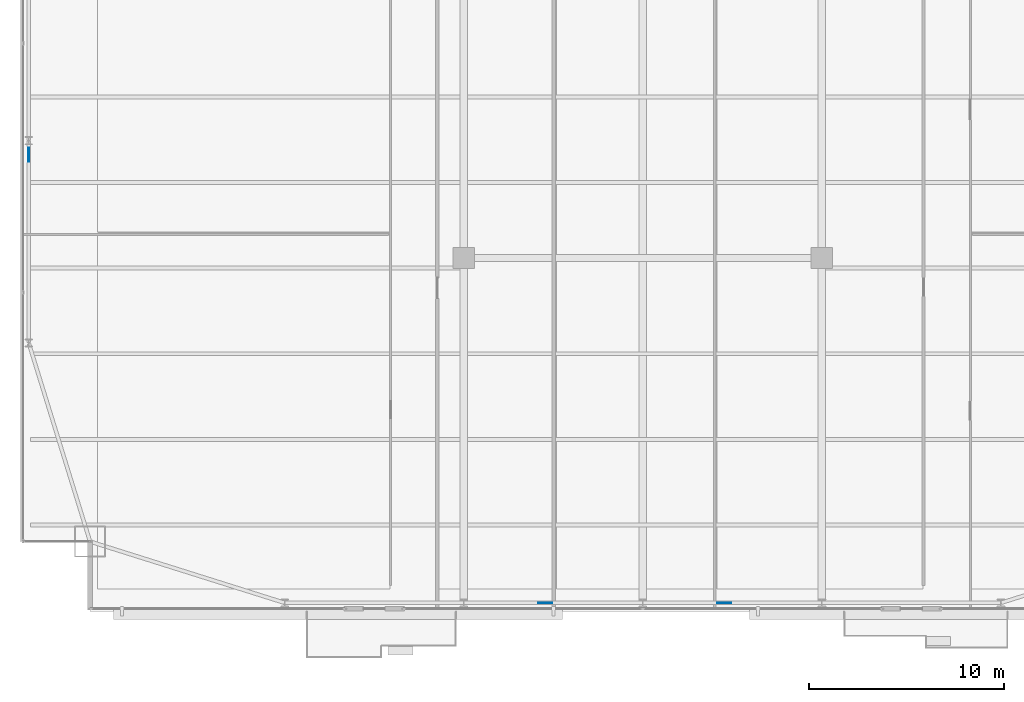
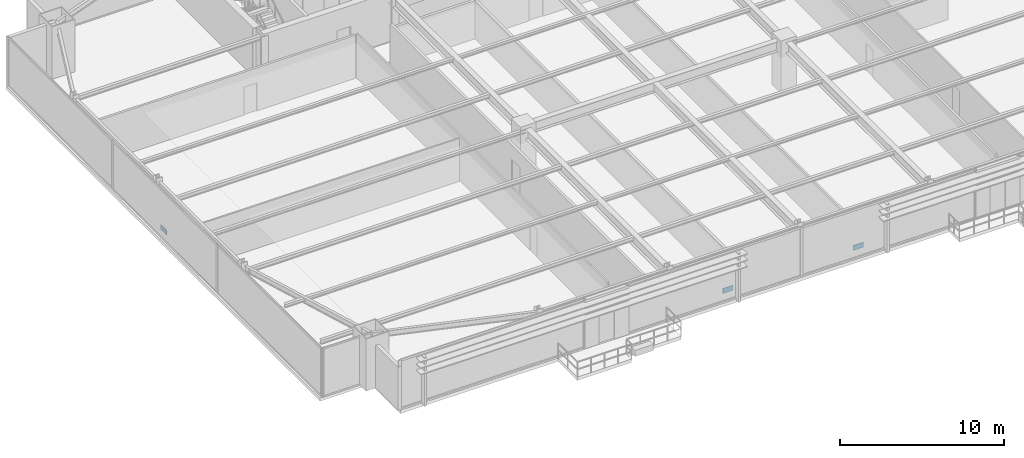
# One storey, part 25 of 31: 3 plates.
"""IFC4 building model written with IfcOpenShell, lengths in metres."""

from ifc_helpers import new_model, si_unit, direction, frame, origin, origin_2d, place, context, subcontext, project, spatial, rectangle, extrude, source, transform, mapped, material, layer, layer_set, type_object, type_shapes, element, save


model = new_model("IFC4")

# Units and contexts
model_context = context("Model", 3, precision=1e-05, world=origin(), true_north=direction((0.0, 1.0)))
body_context = subcontext(model_context, "Body", "Model", "MODEL_VIEW")
ifc_project = project(units=[si_unit("LENGTHUNIT", "METRE"), si_unit("AREAUNIT", "SQUARE_METRE"), si_unit("VOLUMEUNIT", "CUBIC_METRE"), si_unit("PLANEANGLEUNIT", "RADIAN"), si_unit("MASSUNIT", "GRAM", prefix="KILO")], contexts=[model_context])

# Site, building, storey
site_placement = place(None, origin())
site = spatial("IfcSite", under=ifc_project, at=site_placement, CompositionType="ELEMENT")
building_placement = place(site_placement, origin())
building = spatial("IfcBuilding", under=site, at=building_placement, Name="Varnel Quay Broadcast Tower", CompositionType="ELEMENT")
storey_placement = place(building_placement, frame((0.0, 0.0, 35.39990234375)))
storey = spatial("IfcBuildingStorey", under=building, at=storey_placement, Name="L07", CompositionType="ELEMENT", Elevation=35.39990234375)

# Plates
ifc_material = material(Name="Structural Steel CSA G40.21 350WT", Category="steel")
ifc_layer = layer(ifc_material, 0.031982421875, Name="Structural Steel CSA G40.21 350WT")
ifc_layer_set = layer_set([ifc_layer], Name="Structural Steel CSA G40.21 350WT")
plate_type = type_object("IfcPlateType", Name="Plate_EndCap", PredefinedType="USERDEFINED", material=ifc_layer_set)
shared_shape = source(origin(), body_context, "Body", "SweptSolid", [
    extrude(rectangle(XDim=0.719970703125, YDim=0.031982421875, at=origin_2d()), origin(), (0.0, 0.0, 1.0), 0.3798828125),
])
type_shapes(plate_type, [shared_shape])
for number, where, z_axis, x_axis, name in (
    (1, (28.9873046875, 1.64990234375, 0.3720703125), (0.0, 0.0, 1.0), (1.0, 0.0, 0.0), "Zone 1 Mega-Brace S-C1T1 Diag B2 End Connection Plate P0"),
    (2, (38.187255859375, 1.64990234375, 0.3720703125), (0.0, 0.0, 1.0), (1.0, 0.0, 0.0), "Zone 1 Mega-Brace S-C2T1 Diag B2 End Connection Plate P0"),
    (3, (2.449951171875, 24.681640625, 0.144775390625), (0.0, 0.0, 1.0), (0.0, 1.0, 0.0), "Zone 1 Mega-Brace W-FT1 Diag B2 End Connection Plate P0"),
):
    element("IfcPlate", number, at=place(storey_placement, frame(where, z_axis=z_axis, x_axis=x_axis)), inside=storey, type_object=plate_type, Name=name, ObjectType="CAP_PLATE", PredefinedType="USERDEFINED", context=body_context, shape_type="MappedRepresentation", body=[
        mapped(shared_shape, transform((0.0, 0.0, 0.0), x_axis=(1.0, 0.0, 0.0), y_axis=(0.0, 1.0, 0.0), z_axis=(0.0, 0.0, 1.0), scale=1.0)),
    ])

save(model, "model.ifc")
